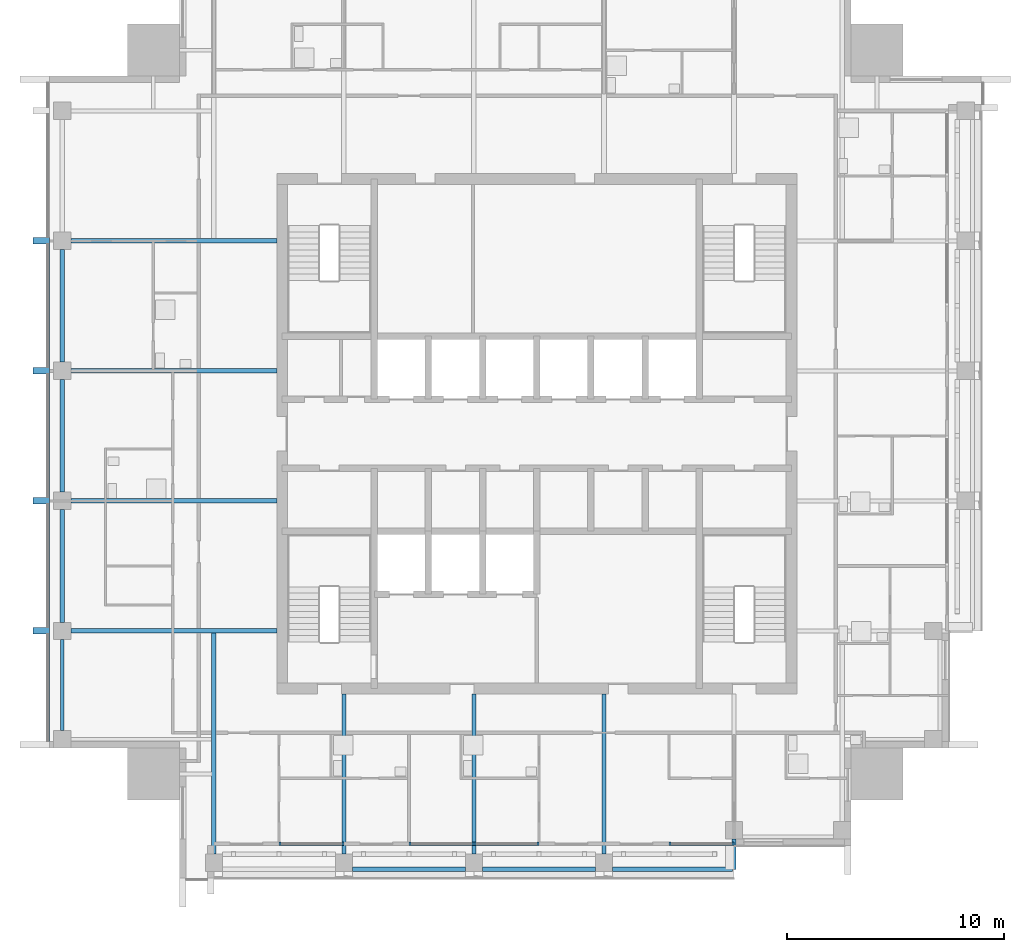
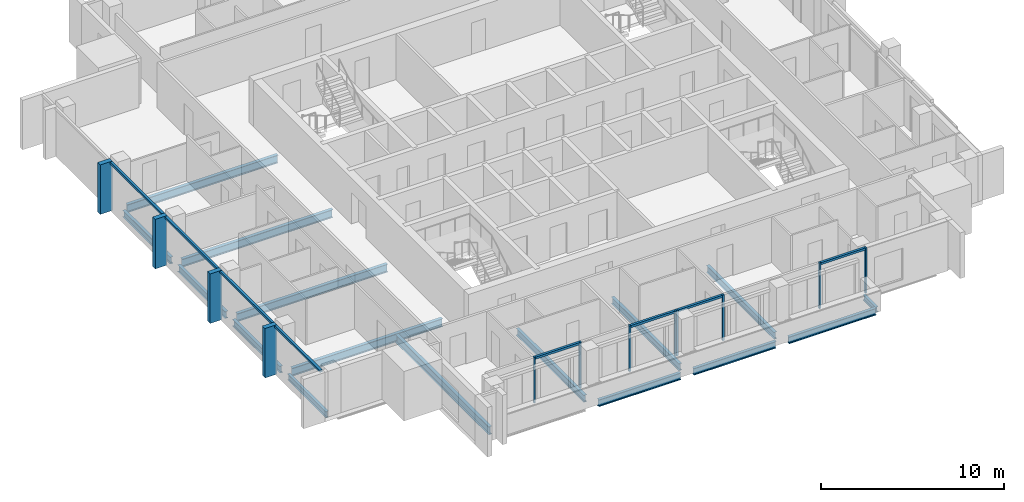
# One storey, part 2 of 15: 20 members, 16 beams, 5 elements without a shape of their own.
"""IFC4 building model written with IfcOpenShell, lengths in metres."""

from ifc_helpers import new_model, si_unit, direction, frame, origin, origin_2d, place, context, subcontext, project, spatial, rectangle, i_section, extrude, material, material_profile, profile_set, type_object, element, aggregate, save


model = new_model("IFC4")

# Units and contexts
model_context = context("Model", 3, precision=1e-05, world=origin(), true_north=direction((0.0, 1.0)))
body_context = subcontext(model_context, "Body", "Model", "MODEL_VIEW")
ifc_project = project(units=[si_unit("LENGTHUNIT", "METRE"), si_unit("AREAUNIT", "SQUARE_METRE"), si_unit("VOLUMEUNIT", "CUBIC_METRE"), si_unit("PLANEANGLEUNIT", "RADIAN"), si_unit("MASSUNIT", "GRAM", prefix="KILO")], contexts=[model_context])

# Site, building, storey
site_placement = place(None, origin())
site = spatial("IfcSite", under=ifc_project, at=site_placement, CompositionType="ELEMENT")
building_placement = place(site_placement, origin())
building = spatial("IfcBuilding", under=site, at=building_placement, Name="Amberfall Residences", CompositionType="ELEMENT")
storey_placement = place(building_placement, frame((0.0, 0.0, 268.60009765625)))
storey = spatial("IfcBuildingStorey", under=building, at=storey_placement, Name="L72", CompositionType="ELEMENT", Elevation=268.60009765625)

# Curtain wall, members
ifc_material_1 = material(Name="Bronze anodised aluminium and glass", Category="aluminium")
curtain_wall_type_1 = type_object("IfcCurtainWallType", Name="Curtain wall CW1 tower unit", PredefinedType="USERDEFINED", material=ifc_material_1)
curtain_wall_1_placement = place(storey_placement, origin())
curtain_wall_1 = element("IfcCurtainWall", 1, at=curtain_wall_1_placement, inside=storey, type_object=curtain_wall_type_1, Name="Curtain wall L72 W W1", ObjectType="UNITISED CURTAIN WALL", PredefinedType="USERDEFINED")
ifc_material_2 = material(Name="Bronze anodised aluminium", Category="aluminium")
ifc_material_profile_1 = material_profile(ifc_material_2, rectangle(XDim=0.14990234375, YDim=0.14990234375, at=origin_2d()), Name="CW1 transom 150 x 150 bronze")
ifc_profile_set_1 = profile_set([ifc_material_profile_1], Name="Bronze anodised aluminium")
member_type_1 = type_object("IfcMemberType", Name="CW1 transom 150 x 150 bronze", PredefinedType="USERDEFINED", material=ifc_profile_set_1)
member_1_placement = place(storey_placement, frame((51.925048828125, 54.25, 2.974853515625), z_axis=(0.0, -1.0, 0.0), x_axis=(1.0, 0.0, 0.0)))
member_1 = element("IfcMember", 2, at=member_1_placement, type_object=member_type_1, Name="CW1 transom 3.1", ObjectType="TRANSOM", PredefinedType="USERDEFINED", context=body_context, shape_type="SweptSolid", body=[
    extrude(rectangle(XDim=0.14990234375, YDim=0.14990234375, at=origin_2d()), origin(), (0.0, 0.0, 1.0), 5.699951171875),
])
member_2_placement = place(storey_placement, frame((51.925048828125, 48.25, 2.974853515625), z_axis=(0.0, -1.0, 0.0), x_axis=(1.0, 0.0, 0.0)))
member_2 = element("IfcMember", 3, at=member_2_placement, type_object=member_type_1, Name="CW1 transom 4.1", ObjectType="TRANSOM", PredefinedType="USERDEFINED", context=body_context, shape_type="SweptSolid", body=[
    extrude(rectangle(XDim=0.14990234375, YDim=0.14990234375, at=origin_2d()), origin(), (0.0, 0.0, 1.0), 5.699951171875),
])
member_3_placement = place(storey_placement, frame((51.925048828125, 42.25, 2.974853515625), z_axis=(0.0, -1.0, 0.0), x_axis=(1.0, 0.0, 0.0)))
member_3 = element("IfcMember", 4, at=member_3_placement, type_object=member_type_1, Name="CW1 transom 5.1", ObjectType="TRANSOM", PredefinedType="USERDEFINED", context=body_context, shape_type="SweptSolid", body=[
    extrude(rectangle(XDim=0.14990234375, YDim=0.14990234375, at=origin_2d()), origin(), (0.0, 0.0, 1.0), 5.699951171875),
])
member_4_placement = place(storey_placement, frame((51.925048828125, 36.25, 2.974853515625), z_axis=(0.0, -1.0, 0.0), x_axis=(1.0, 0.0, 0.0)))
member_4 = element("IfcMember", 5, at=member_4_placement, type_object=member_type_1, Name="CW1 transom 6.1", ObjectType="TRANSOM", PredefinedType="USERDEFINED", context=body_context, shape_type="SweptSolid", body=[
    extrude(rectangle(XDim=0.14990234375, YDim=0.14990234375, at=origin_2d()), origin(), (0.0, 0.0, 1.0), 4.949951171875),
])

curtain_wall_type_2 = type_object("IfcCurtainWallType", Name="Curtain wall CW3 sky garden glazing", PredefinedType="USERDEFINED", material=ifc_material_1)
curtain_wall_2_placement = place(storey_placement, origin())
curtain_wall_2 = element("IfcCurtainWall", 6, at=curtain_wall_2_placement, inside=storey, type_object=curtain_wall_type_2, Name="Curtain wall L72 S S3", ObjectType="UNITISED CURTAIN WALL", PredefinedType="USERDEFINED")
ifc_material_profile_2 = material_profile(ifc_material_2, rectangle(XDim=0.14990234375, YDim=0.10009765625, at=origin_2d()), Name="CW3 mullion 100 x 150 bronze")
ifc_profile_set_2 = profile_set([ifc_material_profile_2], Name="Bronze anodised aluminium")
member_type_2 = type_object("IfcMemberType", Name="CW3 mullion 100 x 150 bronze", PredefinedType="MULLION", material=ifc_profile_set_2)
member_5_placement = place(storey_placement, frame((62.64990234375, 26.574951171875, 0.0), z_axis=(0.0, 0.0, 1.0), x_axis=(0.0, 1.0, 0.0)))
member_5 = element("IfcMember", 7, at=member_5_placement, type_object=member_type_2, Name="CW3 mullion 1", PredefinedType="MULLION", context=body_context, shape_type="SweptSolid", body=[
    extrude(rectangle(XDim=0.14990234375, YDim=0.10009765625, at=origin_2d()), origin(), (0.0, 0.0, 1.0), 3.0498046875),
])
member_6_placement = place(storey_placement, frame((65.550048828125, 26.574951171875, 0.0), z_axis=(0.0, 0.0, 1.0), x_axis=(0.0, 1.0, 0.0)))
member_6 = element("IfcMember", 8, at=member_6_placement, type_object=member_type_2, Name="CW3 mullion 2", PredefinedType="MULLION", context=body_context, shape_type="SweptSolid", body=[
    extrude(rectangle(XDim=0.14990234375, YDim=0.10009765625, at=origin_2d()), origin(), (0.0, 0.0, 1.0), 3.0498046875),
])

curtain_wall_3_placement = place(storey_placement, origin())
curtain_wall_3 = element("IfcCurtainWall", 9, at=curtain_wall_3_placement, inside=storey, type_object=curtain_wall_type_2, Name="Curtain wall L72 S S4", ObjectType="UNITISED CURTAIN WALL", PredefinedType="USERDEFINED")
member_7_placement = place(storey_placement, frame((68.64990234375, 26.574951171875, 0.0), z_axis=(0.0, 0.0, 1.0), x_axis=(0.0, 1.0, 0.0)))
member_7 = element("IfcMember", 10, at=member_7_placement, type_object=member_type_2, Name="CW3 mullion 1", PredefinedType="MULLION", context=body_context, shape_type="SweptSolid", body=[
    extrude(rectangle(XDim=0.14990234375, YDim=0.10009765625, at=origin_2d()), origin(), (0.0, 0.0, 1.0), 3.0498046875),
])
member_8_placement = place(storey_placement, frame((71.550048828125, 26.574951171875, 0.0), z_axis=(0.0, 0.0, 1.0), x_axis=(0.0, 1.0, 0.0)))
member_8 = element("IfcMember", 11, at=member_8_placement, type_object=member_type_2, Name="CW3 mullion 2", PredefinedType="MULLION", context=body_context, shape_type="SweptSolid", body=[
    extrude(rectangle(XDim=0.14990234375, YDim=0.10009765625, at=origin_2d()), origin(), (0.0, 0.0, 1.0), 3.0498046875),
])

curtain_wall_4_placement = place(storey_placement, origin())
curtain_wall_4 = element("IfcCurtainWall", 12, at=curtain_wall_4_placement, inside=storey, type_object=curtain_wall_type_2, Name="Curtain wall L72 S S5", ObjectType="UNITISED CURTAIN WALL", PredefinedType="USERDEFINED")
member_9_placement = place(storey_placement, frame((71.64990234375, 26.574951171875, 0.0), z_axis=(0.0, 0.0, 1.0), x_axis=(0.0, 1.0, 0.0)))
member_9 = element("IfcMember", 13, at=member_9_placement, type_object=member_type_2, Name="CW3 mullion 1", PredefinedType="MULLION", context=body_context, shape_type="SweptSolid", body=[
    extrude(rectangle(XDim=0.14990234375, YDim=0.10009765625, at=origin_2d()), origin(), (0.0, 0.0, 1.0), 3.0498046875),
])
member_10_placement = place(storey_placement, frame((74.550048828125, 26.574951171875, 0.0), z_axis=(0.0, 0.0, 1.0), x_axis=(0.0, 1.0, 0.0)))
member_10 = element("IfcMember", 14, at=member_10_placement, type_object=member_type_2, Name="CW3 mullion 2", PredefinedType="MULLION", context=body_context, shape_type="SweptSolid", body=[
    extrude(rectangle(XDim=0.14990234375, YDim=0.10009765625, at=origin_2d()), origin(), (0.0, 0.0, 1.0), 3.0498046875),
])

curtain_wall_5_placement = place(storey_placement, origin())
curtain_wall_5 = element("IfcCurtainWall", 15, at=curtain_wall_5_placement, inside=storey, type_object=curtain_wall_type_2, Name="Curtain wall L72 S S6", ObjectType="UNITISED CURTAIN WALL", PredefinedType="USERDEFINED")
member_11_placement = place(storey_placement, frame((80.64990234375, 26.574951171875, 0.0), z_axis=(0.0, 0.0, 1.0), x_axis=(0.0, 1.0, 0.0)))
member_11 = element("IfcMember", 16, at=member_11_placement, type_object=member_type_2, Name="CW3 mullion 1", PredefinedType="MULLION", context=body_context, shape_type="SweptSolid", body=[
    extrude(rectangle(XDim=0.14990234375, YDim=0.10009765625, at=origin_2d()), origin(), (0.0, 0.0, 1.0), 3.0498046875),
])
member_12_placement = place(storey_placement, frame((83.550048828125, 26.574951171875, 0.0), z_axis=(0.0, 0.0, 1.0), x_axis=(0.0, 1.0, 0.0)))
member_12 = element("IfcMember", 17, at=member_12_placement, type_object=member_type_2, Name="CW3 mullion 2", PredefinedType="MULLION", context=body_context, shape_type="SweptSolid", body=[
    extrude(rectangle(XDim=0.14990234375, YDim=0.10009765625, at=origin_2d()), origin(), (0.0, 0.0, 1.0), 3.0498046875),
])

# Member
ifc_material_profile_3 = material_profile(ifc_material_2, rectangle(XDim=0.14990234375, YDim=0.14990234375, at=origin_2d()), Name="CW3 transom 150 x 150 bronze")
ifc_profile_set_3 = profile_set([ifc_material_profile_3], Name="Bronze anodised aluminium")
member_type_3 = type_object("IfcMemberType", Name="CW3 transom 150 x 150 bronze", PredefinedType="USERDEFINED", material=ifc_profile_set_3)
member_13_placement = place(storey_placement, frame((62.699951171875, 26.574951171875, 2.974853515625), z_axis=(1.0, 0.0, 0.0), x_axis=(0.0, 1.0, 0.0)))
member_13 = element("IfcMember", 18, at=member_13_placement, type_object=member_type_3, Name="CW3 transom 1.1", ObjectType="TRANSOM", PredefinedType="USERDEFINED", context=body_context, shape_type="SweptSolid", body=[
    extrude(rectangle(XDim=0.14990234375, YDim=0.14990234375, at=origin_2d()), origin(), (0.0, 0.0, 1.0), 2.800048828125),
])

aggregate(curtain_wall_2, [member_5, member_6, member_13])

member_14_placement = place(storey_placement, frame((68.699951171875, 26.574951171875, 2.974853515625), z_axis=(1.0, 0.0, 0.0), x_axis=(0.0, 1.0, 0.0)))
member_14 = element("IfcMember", 19, at=member_14_placement, type_object=member_type_3, Name="CW3 transom 1.1", ObjectType="TRANSOM", PredefinedType="USERDEFINED", context=body_context, shape_type="SweptSolid", body=[
    extrude(rectangle(XDim=0.14990234375, YDim=0.14990234375, at=origin_2d()), origin(), (0.0, 0.0, 1.0), 2.800048828125),
])

aggregate(curtain_wall_3, [member_7, member_8, member_14])

member_15_placement = place(storey_placement, frame((71.699951171875, 26.574951171875, 2.974853515625), z_axis=(1.0, 0.0, 0.0), x_axis=(0.0, 1.0, 0.0)))
member_15 = element("IfcMember", 20, at=member_15_placement, type_object=member_type_3, Name="CW3 transom 1.1", ObjectType="TRANSOM", PredefinedType="USERDEFINED", context=body_context, shape_type="SweptSolid", body=[
    extrude(rectangle(XDim=0.14990234375, YDim=0.14990234375, at=origin_2d()), origin(), (0.0, 0.0, 1.0), 2.800048828125),
])

aggregate(curtain_wall_4, [member_9, member_10, member_15])

member_16_placement = place(storey_placement, frame((80.699951171875, 26.574951171875, 2.974853515625), z_axis=(1.0, 0.0, 0.0), x_axis=(0.0, 1.0, 0.0)))
member_16 = element("IfcMember", 21, at=member_16_placement, type_object=member_type_3, Name="CW3 transom 1.1", ObjectType="TRANSOM", PredefinedType="USERDEFINED", context=body_context, shape_type="SweptSolid", body=[
    extrude(rectangle(XDim=0.14990234375, YDim=0.14990234375, at=origin_2d()), origin(), (0.0, 0.0, 1.0), 2.800048828125),
])

aggregate(curtain_wall_5, [member_11, member_12, member_16])

# Beams
ifc_material_3 = material(Name="Steel S355", Category="steel")
ifc_material_profile_4 = material_profile(ifc_material_3, i_section(OverallWidth=0.171142578125, OverallDepth=0.351318359375, WebThickness=0.007080078125, FlangeThickness=0.009765625, FilletRadius=0.01025390625, at=origin_2d()), Name="UB 356x171x45")
ifc_profile_set_4 = profile_set([ifc_material_profile_4], Name="Steel S355")
beam_type_1 = type_object("IfcBeamType", Name="Cantilever girder UB 356x171x45", PredefinedType="BEAM", material=ifc_profile_set_4)
beam_1_placement = place(storey_placement, frame((83.60009765625, 26.800048828125, -0.42578125), z_axis=(0.0, -1.0, 0.0), x_axis=(1.0, 0.0, 0.0)))
element("IfcBeam", 22, at=beam_1_placement, inside=storey, type_object=beam_type_1, Name="Cantilever girder B8 L72 06", PredefinedType="BEAM", context=body_context, shape_type="SweptSolid", body=[
    extrude(i_section(OverallWidth=0.171142578125, OverallDepth=0.351318359375, WebThickness=0.007080078125, FlangeThickness=0.009765625, FilletRadius=0.01025390625, at=origin_2d()), origin(), (0.0, 0.0, 1.0), 1.400146484375),
])
ifc_material_profile_5 = material_profile(ifc_material_3, i_section(OverallWidth=0.177734375, OverallDepth=0.402587890625, WebThickness=0.0078125, FlangeThickness=0.010986328125, FilletRadius=0.01025390625, at=origin_2d()), Name="UB 406x178x54")
ifc_profile_set_5 = profile_set([ifc_material_profile_5], Name="Steel S355")
beam_type_2 = type_object("IfcBeamType", Name="Edge beam UB 406x178x54", PredefinedType="SPANDREL", material=ifc_profile_set_5)
beam_2_placement = place(storey_placement, frame((52.60009765625, 31.800048828125, -0.451416015625), z_axis=(0.0, 1.0, 0.0), x_axis=(-1.0, 0.0, 0.0)))
element("IfcBeam", 23, at=beam_2_placement, inside=storey, type_object=beam_type_2, Name="Edge beam B14 L72 36", PredefinedType="SPANDREL", context=body_context, shape_type="SweptSolid", body=[
    extrude(i_section(OverallWidth=0.177734375, OverallDepth=0.402587890625, WebThickness=0.0078125, FlangeThickness=0.010986328125, FilletRadius=0.01025390625, at=origin_2d()), origin(), (0.0, 0.0, 1.0), 4.199951171875),
])
ifc_material_profile_6 = material_profile(ifc_material_3, i_section(OverallWidth=0.18994140625, OverallDepth=0.453369140625, WebThickness=0.008544921875, FlangeThickness=0.0126953125, FilletRadius=0.01025390625, at=origin_2d()), Name="UB 457x191x67")
ifc_profile_set_6 = profile_set([ifc_material_profile_6], Name="Steel S355")
beam_type_3 = type_object("IfcBeamType", Name="Edge beam UB 457x191x67", PredefinedType="SPANDREL", material=ifc_profile_set_6)
for number, where, z_axis, x_axis, name in (
    (24, (66.0, 25.39990234375, -0.476806640625), (1.0, 0.0, 0.0), (0.0, 1.0, 0.0), "Edge beam B1 L72 02"),
    (25, (72.0, 25.39990234375, -0.476806640625), (1.0, 0.0, 0.0), (0.0, 1.0, 0.0), "Edge beam B1 L72 03"),
):
    element("IfcBeam", number, at=place(storey_placement, frame(where, z_axis=z_axis, x_axis=x_axis)), inside=storey, type_object=beam_type_3, Name=name, PredefinedType="SPANDREL", context=body_context, shape_type="SweptSolid", body=[
        extrude(i_section(OverallWidth=0.18994140625, OverallDepth=0.453369140625, WebThickness=0.008544921875, FlangeThickness=0.0126953125, FilletRadius=0.01025390625, at=origin_2d()), origin(), (0.0, 0.0, 1.0), 5.199951171875),
    ])
beam_3_placement = place(storey_placement, frame((78.0, 25.39990234375, -0.476806640625), z_axis=(1.0, 0.0, 0.0), x_axis=(0.0, 1.0, 0.0)))
element("IfcBeam", 26, at=beam_3_placement, inside=storey, type_object=beam_type_3, Name="Edge beam B1 L72 04", PredefinedType="SPANDREL", context=body_context, shape_type="SweptSolid", body=[
    extrude(i_section(OverallWidth=0.18994140625, OverallDepth=0.453369140625, WebThickness=0.008544921875, FlangeThickness=0.0126953125, FilletRadius=0.01025390625, at=origin_2d()), origin(), (0.0, 0.0, 1.0), 5.52001953125),
])
for number, where, z_axis, x_axis, name in (
    (27, (52.60009765625, 36.800048828125, -0.476806640625), (0.0, 1.0, 0.0), (-1.0, 0.0, 0.0), "Edge beam B1 L72 37"),
    (28, (52.60009765625, 42.800048828125, -0.476806640625), (0.0, 1.0, 0.0), (-1.0, 0.0, 0.0), "Edge beam B1 L72 38"),
    (29, (52.60009765625, 48.800048828125, -0.476806640625), (0.0, 1.0, 0.0), (-1.0, 0.0, 0.0), "Edge beam B1 L72 39"),
):
    element("IfcBeam", number, at=place(storey_placement, frame(where, z_axis=z_axis, x_axis=x_axis)), inside=storey, type_object=beam_type_3, Name=name, PredefinedType="SPANDREL", context=body_context, shape_type="SweptSolid", body=[
        extrude(i_section(OverallWidth=0.18994140625, OverallDepth=0.453369140625, WebThickness=0.008544921875, FlangeThickness=0.0126953125, FilletRadius=0.01025390625, at=origin_2d()), origin(), (0.0, 0.0, 1.0), 5.199951171875),
    ])

# Member
ifc_material_profile_7 = material_profile(ifc_material_2, rectangle(XDim=0.75, YDim=0.300048828125, at=origin_2d()), Name="Fin 300 x 750 bronze")
ifc_profile_set_7 = profile_set([ifc_material_profile_7], Name="Bronze anodised aluminium")
member_type_4 = type_object("IfcMemberType", Name="Fin 300 x 750 bronze", PredefinedType="MULLION", material=ifc_profile_set_7)
member_17_placement = place(storey_placement, frame((51.625, 54.39990234375, -0.25), z_axis=(0.0, 0.0, 1.0), x_axis=(1.0, 0.0, 0.0)))
member_17 = element("IfcMember", 30, at=member_17_placement, type_object=member_type_4, Name="CW FIN 3", PredefinedType="MULLION", context=body_context, shape_type="SweptSolid", body=[
    extrude(rectangle(XDim=0.75, YDim=0.300048828125, at=origin_2d()), origin(), (0.0, 0.0, 1.0), 3.2998046875),
])

member_18_placement = place(storey_placement, frame((51.625, 48.39990234375, -0.25), z_axis=(0.0, 0.0, 1.0), x_axis=(1.0, 0.0, 0.0)))
member_18 = element("IfcMember", 31, at=member_18_placement, type_object=member_type_4, Name="CW FIN 4", PredefinedType="MULLION", context=body_context, shape_type="SweptSolid", body=[
    extrude(rectangle(XDim=0.75, YDim=0.300048828125, at=origin_2d()), origin(), (0.0, 0.0, 1.0), 3.2998046875),
])

member_19_placement = place(storey_placement, frame((51.625, 42.39990234375, -0.25), z_axis=(0.0, 0.0, 1.0), x_axis=(1.0, 0.0, 0.0)))
member_19 = element("IfcMember", 32, at=member_19_placement, type_object=member_type_4, Name="CW FIN 5", PredefinedType="MULLION", context=body_context, shape_type="SweptSolid", body=[
    extrude(rectangle(XDim=0.75, YDim=0.300048828125, at=origin_2d()), origin(), (0.0, 0.0, 1.0), 3.2998046875),
])

member_20_placement = place(storey_placement, frame((51.625, 36.39990234375, -0.25), z_axis=(0.0, 0.0, 1.0), x_axis=(1.0, 0.0, 0.0)))
member_20 = element("IfcMember", 33, at=member_20_placement, type_object=member_type_4, Name="CW FIN 6", PredefinedType="MULLION", context=body_context, shape_type="SweptSolid", body=[
    extrude(rectangle(XDim=0.75, YDim=0.300048828125, at=origin_2d()), origin(), (0.0, 0.0, 1.0), 3.2998046875),
])

aggregate(curtain_wall_1, [member_17, member_18, member_19, member_20, member_1, member_2, member_3, member_4])

# Beams
ifc_material_profile_8 = material_profile(ifc_material_3, i_section(OverallWidth=0.19140625, OverallDepth=0.4599609375, WebThickness=0.010009765625, FlangeThickness=0.01611328125, FilletRadius=0.01025390625, at=origin_2d()), Name="UB 457x191x82")
ifc_profile_set_8 = profile_set([ifc_material_profile_8], Name="Steel S355")
beam_type_4 = type_object("IfcBeamType", Name="Floor girder UB 457x191x82", PredefinedType="BEAM", material=ifc_profile_set_8)
for number, where, z_axis, x_axis, name in (
    (34, (65.60009765625, 26.10009765625, -0.47998046875), (0.0, 1.0, 0.0), (-1.0, 0.0, 0.0), "Floor girder B10 L72 08"),
    (35, (71.60009765625, 26.10009765625, -0.47998046875), (0.0, 1.0, 0.0), (-1.0, 0.0, 0.0), "Floor girder B10 L72 09"),
    (36, (77.60009765625, 26.10009765625, -0.47998046875), (0.0, 1.0, 0.0), (-1.0, 0.0, 0.0), "Floor girder B10 L72 10"),
):
    element("IfcBeam", number, at=place(storey_placement, frame(where, z_axis=z_axis, x_axis=x_axis)), inside=storey, type_object=beam_type_4, Name=name, PredefinedType="BEAM", context=body_context, shape_type="SweptSolid", body=[
        extrude(i_section(OverallWidth=0.19140625, OverallDepth=0.4599609375, WebThickness=0.010009765625, FlangeThickness=0.01611328125, FilletRadius=0.01025390625, at=origin_2d()), origin(), (0.0, 0.0, 1.0), 7.39990234375),
    ])
ifc_material_profile_9 = material_profile(ifc_material_3, i_section(OverallWidth=0.209228515625, OverallDepth=0.533203125, WebThickness=0.010009765625, FlangeThickness=0.015625, FilletRadius=0.0126953125, at=origin_2d()), Name="UB 533x210x92")
ifc_profile_set_9 = profile_set([ifc_material_profile_9], Name="Steel S355")
beam_type_5 = type_object("IfcBeamType", Name="Floor girder UB 533x210x92", PredefinedType="BEAM", material=ifc_profile_set_9)
beam_4_placement = place(storey_placement, frame((59.60009765625, 26.10009765625, -0.5166015625), z_axis=(0.0, 1.0, 0.0), x_axis=(-1.0, 0.0, 0.0)))
element("IfcBeam", 37, at=beam_4_placement, inside=storey, type_object=beam_type_5, Name="Floor girder B3 L72 07", PredefinedType="BEAM", context=body_context, shape_type="SweptSolid", body=[
    extrude(i_section(OverallWidth=0.209228515625, OverallDepth=0.533203125, WebThickness=0.010009765625, FlangeThickness=0.015625, FilletRadius=0.0126953125, at=origin_2d()), origin(), (0.0, 0.0, 1.0), 10.2001953125),
])
for number, where, z_axis, x_axis, name in (
    (38, (53.0, 36.39990234375, -0.5166015625), (1.0, 0.0, 0.0), (0.0, 1.0, 0.0), "Floor girder B3 L72 42"),
    (39, (53.0, 42.39990234375, -0.5166015625), (1.0, 0.0, 0.0), (0.0, 1.0, 0.0), "Floor girder B3 L72 43"),
    (40, (53.0, 48.39990234375, -0.5166015625), (1.0, 0.0, 0.0), (0.0, 1.0, 0.0), "Floor girder B3 L72 44"),
    (41, (53.0, 54.39990234375, -0.5166015625), (1.0, 0.0, 0.0), (0.0, 1.0, 0.0), "Floor girder B3 L72 45"),
):
    element("IfcBeam", number, at=place(storey_placement, frame(where, z_axis=z_axis, x_axis=x_axis)), inside=storey, type_object=beam_type_5, Name=name, PredefinedType="BEAM", context=body_context, shape_type="SweptSolid", body=[
        extrude(i_section(OverallWidth=0.209228515625, OverallDepth=0.533203125, WebThickness=0.010009765625, FlangeThickness=0.015625, FilletRadius=0.0126953125, at=origin_2d()), origin(), (0.0, 0.0, 1.0), 9.5),
    ])

save(model, "model.ifc")
